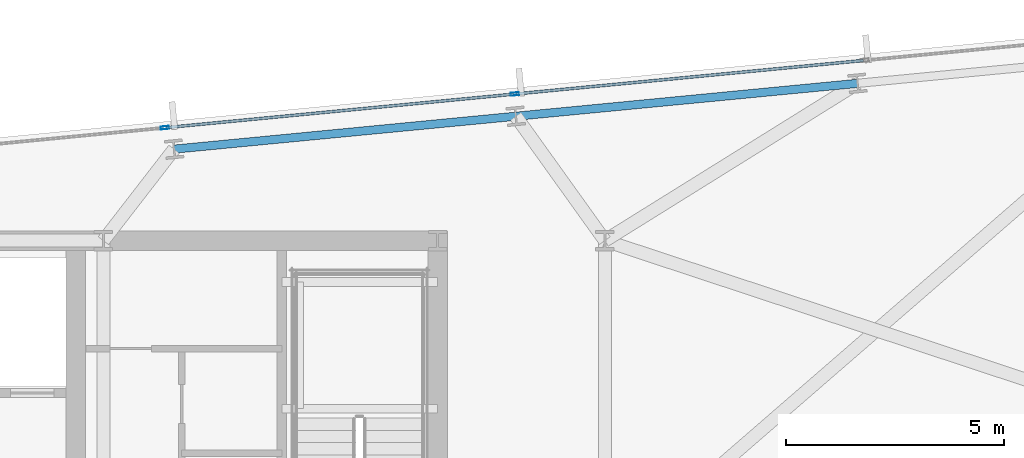
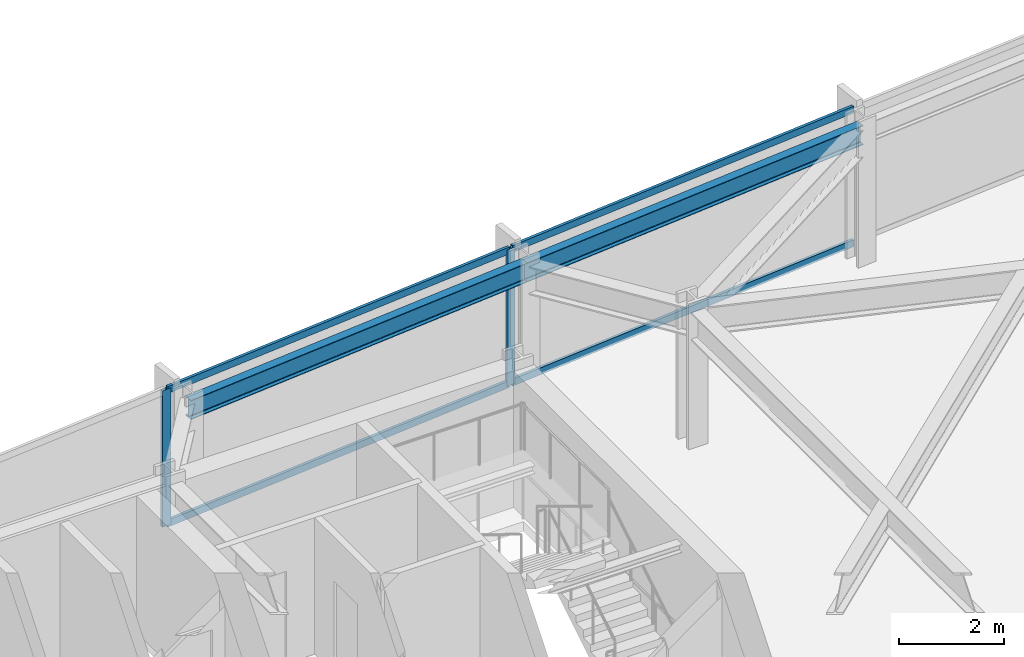
# One storey, part 21 of 33: 6 members, 2 beams, 1 element without a shape of its own.
"""IFC4 building model written with IfcOpenShell, lengths in metres."""

from ifc_helpers import new_model, si_unit, direction, frame, origin, origin_2d, place, context, subcontext, project, spatial, hollow_rectangle, i_section, extrude, material, material_profile, profile_set, type_object, element, aggregate, save


model = new_model("IFC4")

# Units and contexts
model_context = context("Model", 3, precision=1e-05, world=origin(), true_north=direction((0.0, 1.0)))
body_context = subcontext(model_context, "Body", "Model", "MODEL_VIEW")
ifc_project = project(units=[si_unit("LENGTHUNIT", "METRE"), si_unit("AREAUNIT", "SQUARE_METRE"), si_unit("VOLUMEUNIT", "CUBIC_METRE"), si_unit("PLANEANGLEUNIT", "RADIAN"), si_unit("MASSUNIT", "GRAM", prefix="KILO")], contexts=[model_context])

# Site, building, storey
site_placement = place(None, origin())
site = spatial("IfcSite", under=ifc_project, at=site_placement, CompositionType="ELEMENT")
building_placement = place(site_placement, origin())
building = spatial("IfcBuilding", under=site, at=building_placement, Name="Yelkora Congress Tower", CompositionType="ELEMENT")
storey_placement = place(building_placement, frame((0.0, 0.0, 110.10009765625)))
storey = spatial("IfcBuildingStorey", under=building, at=storey_placement, Name="L29", CompositionType="ELEMENT", Elevation=110.10009765625)

# Beams
ifc_material_1 = material(Name="Steel S355J2", Category="steel")
ifc_material_profile_1 = material_profile(ifc_material_1, i_section(OverallWidth=0.18994140625, OverallDepth=0.449951171875, WebThickness=0.009521484375, FlangeThickness=0.0146484375, FilletRadius=0.02099609375, at=origin_2d()), Name="IPE 450")
ifc_profile_set_1 = profile_set([ifc_material_profile_1], Name="Steel S355J2")
beam_type = type_object("IfcBeamType", Name="BM-SPAN-IPE450", PredefinedType="SPANDREL", material=ifc_profile_set_1)
for number, where, z_axis, x_axis, name in (
    (1, (63.4033203125, 49.81201171875, 2.954833984375), (-0.995398529126, -0.09582154358, 0.0), (0.09582154358, -0.995398529126, 0.0), "L29 Perimeter Beam 15"),
    (2, (55.553955078125, 49.056396484375, 2.954833984375), (-0.995395575667, -0.095852219286, 0.0), (0.095852219286, -0.995395575667, 0.0), "L29 Perimeter Beam 16"),
):
    element("IfcBeam", number, at=place(storey_placement, frame(where, z_axis=z_axis, x_axis=x_axis)), inside=storey, type_object=beam_type, Name=name, PredefinedType="SPANDREL", context=body_context, shape_type="SweptSolid", body=[
        extrude(i_section(OverallWidth=0.18994140625, OverallDepth=0.449951171875, WebThickness=0.009521484375, FlangeThickness=0.0146484375, FilletRadius=0.02099609375, at=origin_2d()), origin(), (0.0, 0.0, 1.0), 7.8857421875),
    ])

# Curtain wall, members
ifc_material_2 = material(Name="Anodised aluminium and insulated glass", Category="aluminium")
curtain_wall_type = type_object("IfcCurtainWallType", Name="CW-SYS-B2", PredefinedType="NOTDEFINED", material=ifc_material_2)
curtain_wall_placement = place(storey_placement, origin())
curtain_wall = element("IfcCurtainWall", 3, at=curtain_wall_placement, inside=storey, type_object=curtain_wall_type, Name="L29 Unitised Curtain Wall 10 (3)", PredefinedType="NOTDEFINED")
ifc_material_3 = material(Name="Anodised aluminium 6063-T6", Category="aluminium")
ifc_material_profile_2 = material_profile(ifc_material_3, hollow_rectangle(XDim=0.070068359375, YDim=0.18994140625, WallThickness=0.00390625, at=origin_2d()), Name="ALU 70x190x4")
ifc_profile_set_2 = profile_set([ifc_material_profile_2], Name="Anodised aluminium 6063-T6")
member_type_1 = type_object("IfcMemberType", Name="MEM-ML-B2", PredefinedType="MULLION", material=ifc_profile_set_2)
member_1_placement = place(storey_placement, frame((47.491943359375, 48.79248046875, 0.0), z_axis=(0.0, 0.0, 1.0), x_axis=(-0.095844238468, 0.995396344153, 0.0)))
member_1 = element("IfcMember", 4, at=member_1_placement, type_object=member_type_1, Name="CW-B2 mullion 4", PredefinedType="MULLION", context=body_context, shape_type="SweptSolid", body=[
    extrude(hollow_rectangle(XDim=0.070068359375, YDim=0.18994140625, WallThickness=0.00390625, at=origin_2d()), origin(), (0.0, 0.0, 1.0), 3.179931640625),
])
member_2_placement = place(storey_placement, frame((55.531982421875, 49.566650390625, 0.0), z_axis=(0.0, 0.0, 1.0), x_axis=(-0.095844238468, 0.995396344153, 0.0)))
member_2 = element("IfcMember", 5, at=member_2_placement, type_object=member_type_1, Name="CW-B2 mullion 5", PredefinedType="MULLION", context=body_context, shape_type="SweptSolid", body=[
    extrude(hollow_rectangle(XDim=0.070068359375, YDim=0.18994140625, WallThickness=0.00390625, at=origin_2d()), origin(), (0.0, 0.0, 1.0), 3.179931640625),
])
ifc_material_profile_3 = material_profile(ifc_material_3, hollow_rectangle(XDim=0.06494140625, YDim=0.159912109375, WallThickness=0.00390625, at=origin_2d()), Name="ALU 65x160x4")
ifc_profile_set_3 = profile_set([ifc_material_profile_3], Name="Anodised aluminium 6063-T6")
member_type_2 = type_object("IfcMemberType", Name="MEM-TR-B2", PredefinedType="USERDEFINED", material=ifc_profile_set_3)
member_3_placement = place(storey_placement, frame((47.52685546875, 48.7958984375, 0.032470703125), z_axis=(0.995397513894, 0.095832089266, 0.0), x_axis=(-0.095832089266, 0.995397513894, 0.0)))
member_3 = element("IfcMember", 6, at=member_3_placement, type_object=member_type_2, Name="CW-B2 transom 4.1", ObjectType="TRANSOM", PredefinedType="USERDEFINED", context=body_context, shape_type="SweptSolid", body=[
    extrude(hollow_rectangle(XDim=0.06494140625, YDim=0.159912109375, WallThickness=0.00390625, at=origin_2d()), origin(), (0.0, 0.0, 1.0), 8.007080078125),
])
member_4_placement = place(storey_placement, frame((47.52685546875, 48.7958984375, 3.1474609375), z_axis=(0.995397513894, 0.095832089266, 0.0), x_axis=(-0.095832089266, 0.995397513894, 0.0)))
member_4 = element("IfcMember", 7, at=member_4_placement, type_object=member_type_2, Name="CW-B2 transom 4.2", ObjectType="TRANSOM", PredefinedType="USERDEFINED", context=body_context, shape_type="SweptSolid", body=[
    extrude(hollow_rectangle(XDim=0.06494140625, YDim=0.159912109375, WallThickness=0.00390625, at=origin_2d()), origin(), (0.0, 0.0, 1.0), 8.007080078125),
])
member_5_placement = place(storey_placement, frame((55.566650390625, 49.570068359375, 0.032470703125), z_axis=(0.995397793901, 0.09582918082, 0.0), x_axis=(-0.09582918082, 0.995397793901, 0.0)))
member_5 = element("IfcMember", 8, at=member_5_placement, type_object=member_type_2, Name="CW-B2 transom 5.1", ObjectType="TRANSOM", PredefinedType="USERDEFINED", context=body_context, shape_type="SweptSolid", body=[
    extrude(hollow_rectangle(XDim=0.06494140625, YDim=0.159912109375, WallThickness=0.00390625, at=origin_2d()), origin(), (0.0, 0.0, 1.0), 8.00732421875),
])
member_6_placement = place(storey_placement, frame((55.566650390625, 49.570068359375, 3.1474609375), z_axis=(0.995397793901, 0.09582918082, 0.0), x_axis=(-0.09582918082, 0.995397793901, 0.0)))
member_6 = element("IfcMember", 9, at=member_6_placement, type_object=member_type_2, Name="CW-B2 transom 5.2", ObjectType="TRANSOM", PredefinedType="USERDEFINED", context=body_context, shape_type="SweptSolid", body=[
    extrude(hollow_rectangle(XDim=0.06494140625, YDim=0.159912109375, WallThickness=0.00390625, at=origin_2d()), origin(), (0.0, 0.0, 1.0), 8.00732421875),
])
aggregate(curtain_wall, [member_1, member_2, member_3, member_4, member_5, member_6])

save(model, "model.ifc")
